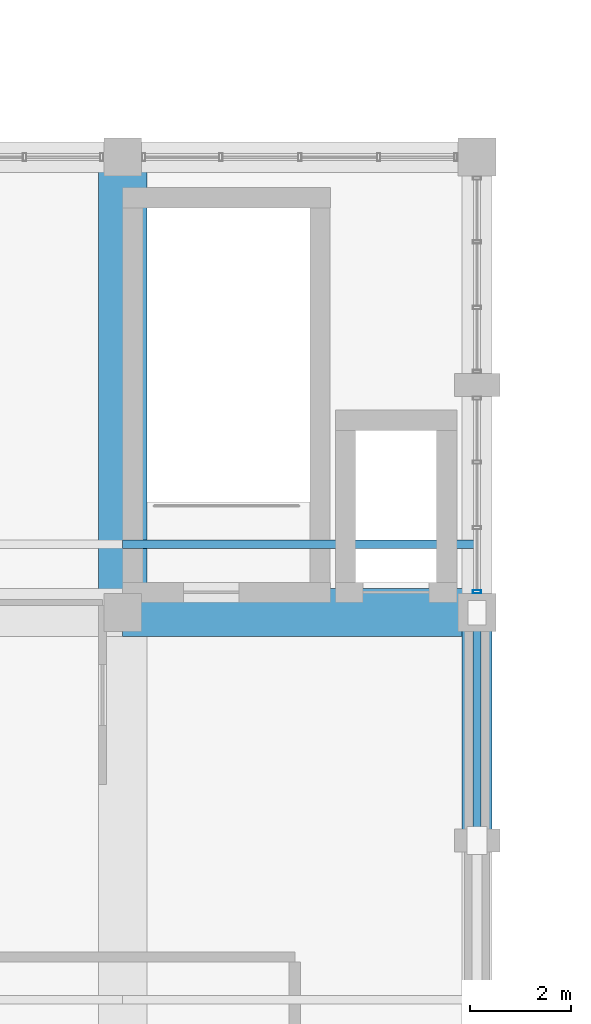
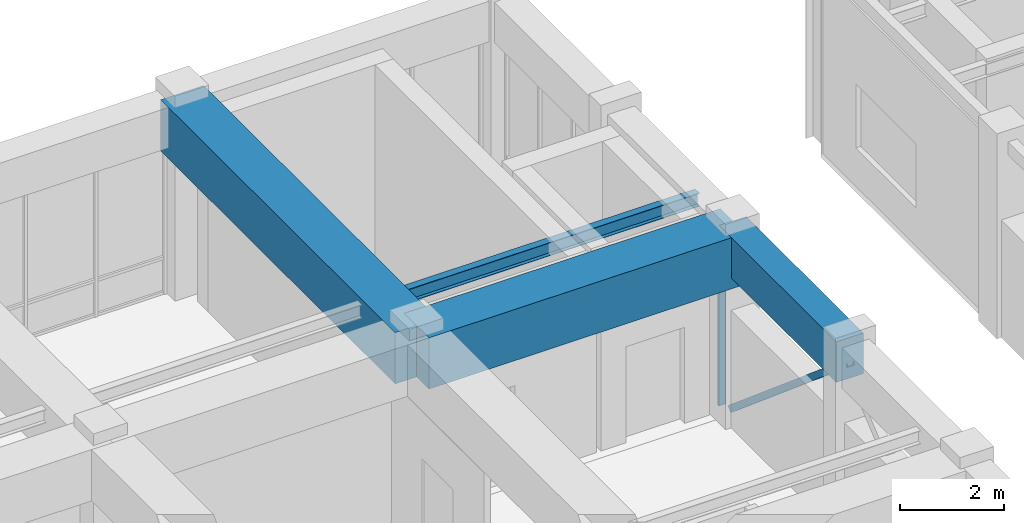
# One storey, part 59 of 99: 3 beams, 3 members, 1 element without a shape of its own.
"""IFC4 building model written with IfcOpenShell, lengths in metres."""

from ifc_helpers import new_model, si_unit, direction, frame, origin, origin_2d, place, context, subcontext, project, spatial, rectangle, hollow_rectangle, i_section, extrude, material, layer, layer_set, material_profile, profile_set, type_object, element, aggregate, save


model = new_model("IFC4")

# Units and contexts
model_context = context("Model", 3, precision=1e-05, world=origin(), true_north=direction((0.0, 1.0)))
body_context = subcontext(model_context, "Body", "Model", "MODEL_VIEW")
ifc_project = project(units=[si_unit("LENGTHUNIT", "METRE"), si_unit("AREAUNIT", "SQUARE_METRE"), si_unit("VOLUMEUNIT", "CUBIC_METRE"), si_unit("PLANEANGLEUNIT", "RADIAN"), si_unit("MASSUNIT", "GRAM", prefix="KILO")], contexts=[model_context])

# Site, building, storey
site_placement = place(None, origin())
site = spatial("IfcSite", under=ifc_project, at=site_placement, CompositionType="ELEMENT")
building_placement = place(site_placement, origin())
building = spatial("IfcBuilding", under=site, at=building_placement, Name="Ventoquebrada Cableway Terminal", CompositionType="ELEMENT")
storey_placement = place(building_placement, frame((0.0, 0.0, 9.60009765625)))
storey = spatial("IfcBuildingStorey", under=building, at=storey_placement, Name="L02", CompositionType="ELEMENT", Elevation=9.60009765625)

# Beams
ifc_material_1 = material(Name="Concrete C40/50", Category="concrete")
ifc_material_profile_1 = material_profile(ifc_material_1, rectangle(XDim=0.60009765625, YDim=0.949951171875, at=origin_2d()), Name="RC-BM-600X950")
ifc_profile_set_1 = profile_set([ifc_material_profile_1], Name="Concrete C40/50")
beam_type_1 = type_object("IfcBeamType", Name="BM-RC05", PredefinedType="BEAM", material=ifc_profile_set_1)
beam_1_placement = place(storey_placement, frame((123.0, 90.5, 4.054931640625), z_axis=(0.0, 1.0, 0.0), x_axis=(-1.0, 0.0, 0.0)))
element("IfcBeam", 1, at=beam_1_placement, inside=storey, type_object=beam_type_1, Name="Perimeter spandrel beam FBM-0698", PredefinedType="BEAM", context=body_context, shape_type="SweptSolid", body=[
    extrude(rectangle(XDim=0.60009765625, YDim=0.949951171875, at=origin_2d()), origin(), (0.0, 0.0, 1.0), 4.5),
])
ifc_material_profile_2 = material_profile(ifc_material_1, rectangle(XDim=0.949951171875, YDim=1.199951171875, at=origin_2d()), Name="RC-BM-950X1200")
ifc_profile_set_2 = profile_set([ifc_material_profile_2], Name="Concrete C40/50")
beam_type_2 = type_object("IfcBeamType", Name="BM-RC06", PredefinedType="BEAM", material=ifc_profile_set_2)
beam_2_placement = place(storey_placement, frame((116.0, 95.0, 3.929931640625), z_axis=(1.0, 0.0, 0.0), x_axis=(0.0, 1.0, 0.0)))
element("IfcBeam", 2, at=beam_2_placement, inside=storey, type_object=beam_type_2, Name="Primary frame girder FBM-0675", PredefinedType="BEAM", context=body_context, shape_type="SweptSolid", body=[
    extrude(rectangle(XDim=0.949951171875, YDim=1.199951171875, at=origin_2d()), origin(), (0.0, 0.0, 1.0), 7.0),
])
beam_3_placement = place(storey_placement, frame((116.0, 95.0, 3.929931640625), z_axis=(0.0, 1.0, 0.0), x_axis=(-1.0, 0.0, 0.0)))
element("IfcBeam", 3, at=beam_3_placement, inside=storey, type_object=beam_type_2, Name="Primary frame girder FBM-0694", PredefinedType="BEAM", context=body_context, shape_type="SweptSolid", body=[
    extrude(rectangle(XDim=0.949951171875, YDim=1.199951171875, at=origin_2d()), origin(), (0.0, 0.0, 1.0), 9.0),
])

# Member
ifc_material_2 = material(Name="Steel ASTM A500 Grade C", Category="steel")
ifc_material_profile_3 = material_profile(ifc_material_2, hollow_rectangle(XDim=0.14990234375, YDim=0.14990234375, WallThickness=0.008056640625, at=origin_2d()), Name="HSS150X150X8")
ifc_profile_set_3 = profile_set([ifc_material_profile_3], Name="Steel ASTM A500 Grade C")
member_type_1 = type_object("IfcMemberType", Name="BRC-FR02", PredefinedType="BRACE", material=ifc_profile_set_3)
member_1_placement = place(storey_placement, frame((123.0, 95.0, 0.14990234375), z_axis=(0.0, -0.764025829276, 0.645185657155), x_axis=(1.0, 0.0, 0.0)))
element("IfcMember", 4, at=member_1_placement, inside=storey, type_object=member_type_1, Name="Concentric lateral chevron brace BR-0544", PredefinedType="BRACE", context=body_context, shape_type="SweptSolid", body=[
    extrude(hollow_rectangle(XDim=0.14990234375, YDim=0.14990234375, WallThickness=0.008056640625, at=origin_2d()), origin(), (0.0, 0.0, 1.0), 5.889892578125),
])

# Curtain wall, member
ifc_material_3 = material(Name="Anodized thermally-broken aluminium", Category="aluminium")
ifc_layer = layer(ifc_material_3, 0.159912109375)
ifc_layer_set = layer_set([ifc_layer], Name="Anodized thermally-broken aluminium")
curtain_wall_type = type_object("IfcCurtainWallType", Name="CW-T28", PredefinedType="USERDEFINED", material=ifc_layer_set)
curtain_wall_placement = place(storey_placement, origin())
curtain_wall = element("IfcCurtainWall", 5, at=curtain_wall_placement, inside=storey, type_object=curtain_wall_type, Name="Unitised glazed curtain wall CW-067", ObjectType="UNITISED CURTAIN WALL", PredefinedType="USERDEFINED")
ifc_material_profile_4 = material_profile(ifc_material_3, hollow_rectangle(XDim=0.06494140625, YDim=0.159912109375, WallThickness=0.00390625, at=origin_2d()), Name="CW-MUL-65X160")
ifc_profile_set_4 = profile_set([ifc_material_profile_4], Name="Anodized thermally-broken aluminium")
member_type_2 = type_object("IfcMemberType", Name="CWM-01", PredefinedType="MULLION", material=ifc_profile_set_4)
member_2_placement = place(storey_placement, frame((123.0, 95.4150390625, -0.008056640625), z_axis=(0.0, 0.0, 1.0), x_axis=(0.0, 1.0, 0.0)))
member_2 = element("IfcMember", 6, at=member_2_placement, type_object=member_type_2, Name="Curtain wall mullion FML-0312", PredefinedType="MULLION", context=body_context, shape_type="SweptSolid", body=[
    extrude(hollow_rectangle(XDim=0.06494140625, YDim=0.159912109375, WallThickness=0.00390625, at=origin_2d()), origin(), (0.0, 0.0, 1.0), 3.587890625),
])
aggregate(curtain_wall, [member_2])

# Member
ifc_material_4 = material(Name="Steel ASTM A992 Grade 50", Category="steel")
ifc_material_profile_5 = material_profile(ifc_material_4, i_section(OverallWidth=0.1650390625, OverallDepth=0.31005859375, WebThickness=0.005859375, FlangeThickness=0.009765625, at=origin_2d()), Name="W12X26")
ifc_profile_set_5 = profile_set([ifc_material_profile_5], Name="Steel ASTM A992 Grade 50")
member_type_3 = type_object("IfcMemberType", Name="PUR-RF05", PredefinedType="PURLIN", material=ifc_profile_set_5)
member_3_placement = place(storey_placement, frame((116.0, 96.35009765625, 4.260009765625), z_axis=(1.0, 0.0, 0.0), x_axis=(0.0, 1.0, 0.0)))
element("IfcMember", 7, at=member_3_placement, inside=storey, type_object=member_type_3, Name="Roof support purlin RPR-0502", PredefinedType="PURLIN", context=body_context, shape_type="SweptSolid", body=[
    extrude(i_section(OverallWidth=0.1650390625, OverallDepth=0.31005859375, WebThickness=0.005859375, FlangeThickness=0.009765625, at=origin_2d()), origin(), (0.0, 0.0, 1.0), 7.0),
])

save(model, "model.ifc")
